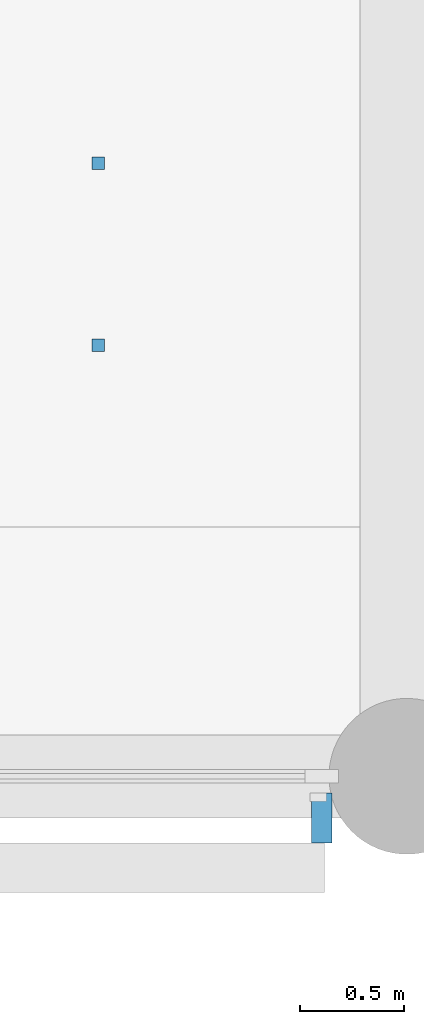
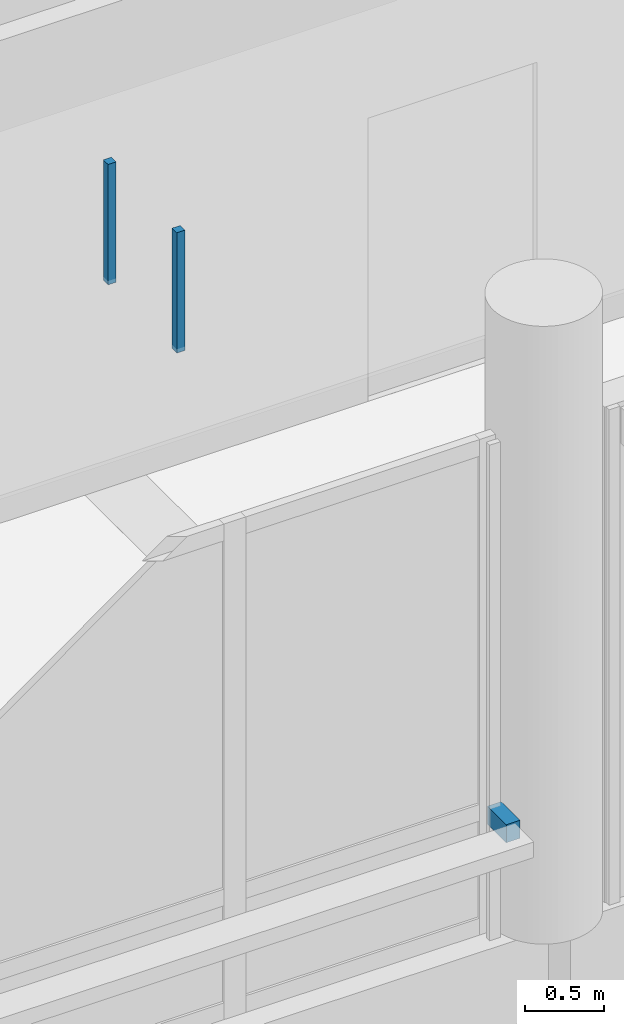
# One storey, part 61 of 122: 3 discrete accessories.
"""IFC4 building model written with IfcOpenShell, lengths in metres."""

from ifc_helpers import new_model, si_unit, direction, frame, origin, origin_2d, place, context, subcontext, project, spatial, rectangle, extrude, material, type_object, element, save


model = new_model("IFC4")

# Units and contexts
model_context = context("Model", 3, precision=1e-05, world=origin(), true_north=direction((0.0, 1.0)))
body_context = subcontext(model_context, "Body", "Model", "MODEL_VIEW")
ifc_project = project(units=[si_unit("LENGTHUNIT", "METRE"), si_unit("AREAUNIT", "SQUARE_METRE"), si_unit("VOLUMEUNIT", "CUBIC_METRE"), si_unit("PLANEANGLEUNIT", "RADIAN"), si_unit("MASSUNIT", "GRAM", prefix="KILO")], contexts=[model_context])

# Site, building, storey
site_placement = place(None, origin())
site = spatial("IfcSite", under=ifc_project, at=site_placement, CompositionType="ELEMENT")
building_placement = place(site_placement, origin())
building = spatial("IfcBuilding", under=site, at=building_placement, Name="Telukmera Botanical Conservatory", CompositionType="ELEMENT")
storey_placement = place(building_placement, frame((0.0, 0.0, 10.199951171875)))
storey = spatial("IfcBuildingStorey", under=building, at=storey_placement, Name="L02", CompositionType="ELEMENT", Elevation=10.199951171875)

# Discrete accessories
ifc_material = material(Name="Steel S355", Category="steel")
discrete_accessory_type_1 = type_object("IfcDiscreteAccessoryType", Name="ACC-CEIL-HGR", PredefinedType="BRACKET", material=ifc_material)
for number, where, z_axis, x_axis, name in (
    (1, (32.114013671875, 19.675048828125, 3.6201171875), (0.0, 0.0, 1.0), (1.0, 0.0, 0.0), "L02 Suspended Ceiling Hanger Rod 013-1"),
    (2, (32.114013671875, 20.550048828125, 3.6201171875), (0.0, 0.0, 1.0), (1.0, 0.0, 0.0), "L02 Suspended Ceiling Hanger Rod 013-2"),
):
    element("IfcDiscreteAccessory", number, at=place(storey_placement, frame(where, z_axis=z_axis, x_axis=x_axis)), inside=storey, type_object=discrete_accessory_type_1, Name=name, PredefinedType="BRACKET", context=body_context, shape_type="SweptSolid", body=[
        extrude(rectangle(XDim=0.06005859375, YDim=0.06005859375, at=origin_2d()), origin(), (0.0, 0.0, 1.0), 0.93505859375),
    ])
discrete_accessory_type_2 = type_object("IfcDiscreteAccessoryType", Name="Structural Steel Facade Outrigger Fin Bracket", PredefinedType="BRACKET", material=ifc_material)
discrete_accessory_placement = place(storey_placement, frame((33.1904296875, 17.39990234375, 0.8798828125), z_axis=(0.0, 0.0, 1.0), x_axis=(1.0, 0.0, 0.0)))
element("IfcDiscreteAccessory", 3, at=discrete_accessory_placement, inside=storey, type_object=discrete_accessory_type_2, Name="Facade Outrigger Bracket V3:L02:S3 B", PredefinedType="BRACKET", context=body_context, shape_type="SweptSolid", body=[
    extrude(rectangle(XDim=0.10009765625, YDim=0.239990234375, at=origin_2d()), origin(), (0.0, 0.0, 1.0), 0.139892578125),
])

save(model, "model.ifc")
